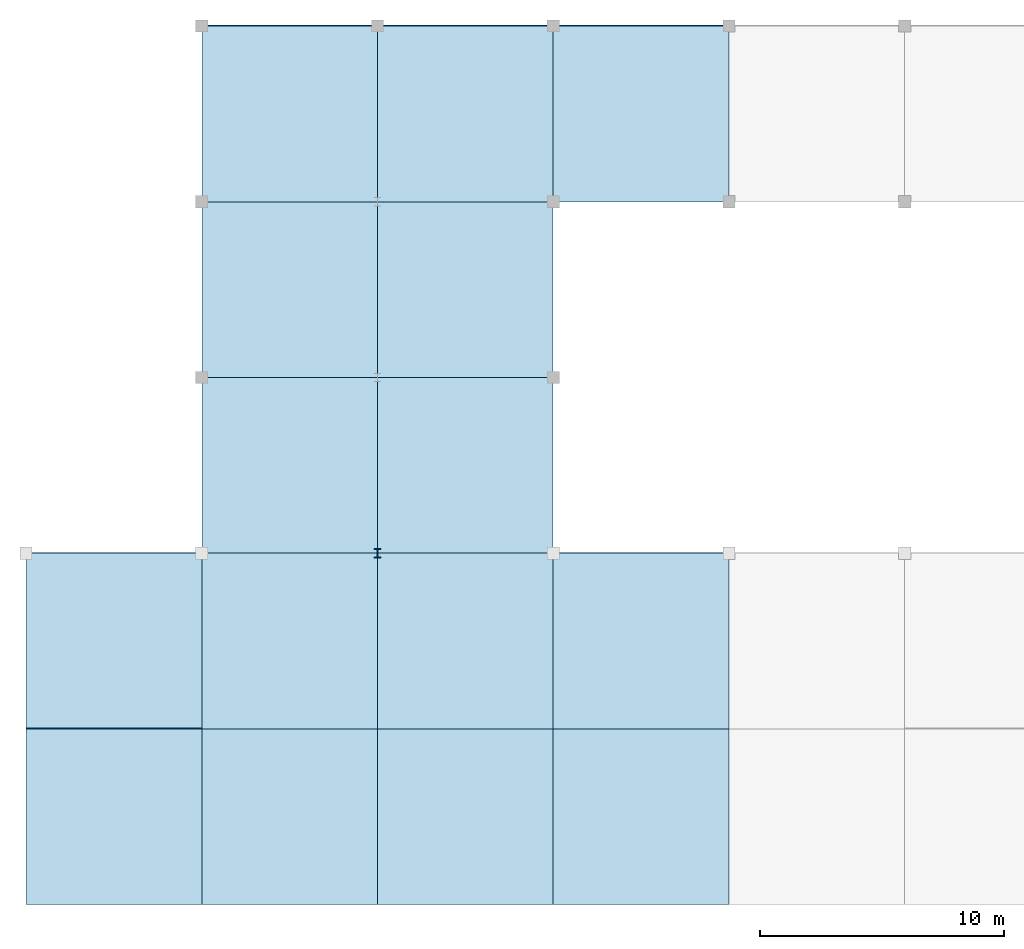
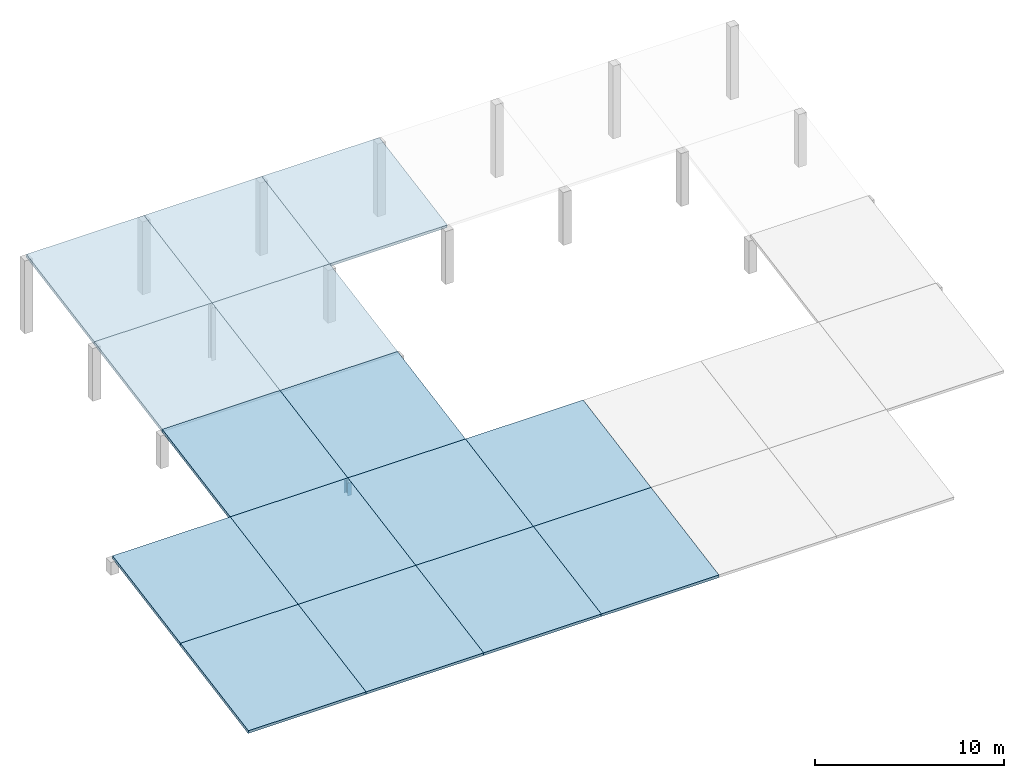
# One storey, part 3 of 4: 15 slabs, 1 column.
"""IFC4 building model written with IfcOpenShell, lengths in metres."""

from ifc_helpers import new_model, si_unit, direction, frame, origin, origin_2d, place, context, subcontext, project, spatial, polyline, i_section, outline, extrude, material, layer, layer_set, material_profile, profile_set, type_object, element, save


model = new_model("IFC4")

# Units and contexts
model_context = context("Model", 3, precision=1e-05, world=origin(), true_north=direction((0.0, 1.0)))
body_context = subcontext(model_context, "Body", "Model", "MODEL_VIEW")
ifc_project = project(units=[si_unit("LENGTHUNIT", "METRE"), si_unit("AREAUNIT", "SQUARE_METRE"), si_unit("VOLUMEUNIT", "CUBIC_METRE"), si_unit("PLANEANGLEUNIT", "RADIAN"), si_unit("MASSUNIT", "GRAM", prefix="KILO")], contexts=[model_context])

# Site, building, storey
site_placement = place(None, origin())
site = spatial("IfcSite", under=ifc_project, at=site_placement, CompositionType="ELEMENT")
building_placement = place(site_placement, origin())
building = spatial("IfcBuilding", under=site, at=building_placement, Name="Sillqori Civic Hall", CompositionType="ELEMENT")
storey_placement = place(building_placement, frame((0.0, 0.0, 30.0)))
storey = spatial("IfcBuildingStorey", under=building, at=storey_placement, Name="ROOF", CompositionType="ELEMENT", Elevation=30.0)

# Column
ifc_material_1 = material(Name="Steel ASTM A992", Category="steel")
ifc_material_profile = material_profile(ifc_material_1, i_section(OverallWidth=0.257080078125, OverallDepth=0.363037109375, WebThickness=0.012939453125, FlangeThickness=0.021728515625, FilletRadius=0.014892578125, at=origin_2d()), Name="W14X82")
ifc_profile_set = profile_set([ifc_material_profile], Name="Steel ASTM A992")
column_type = type_object("IfcColumnType", Name="COL-W14X82", PredefinedType="COLUMN", material=ifc_profile_set)
column_placement = place(storey_placement, frame((64.800048828125, 93.60009765625, 0.0), z_axis=(0.0, 0.0, 1.0), x_axis=(1.0, 0.0, 0.0)))
element("IfcColumn", 1, at=column_placement, inside=storey, type_object=column_type, Name="ROOF column 9-13", PredefinedType="COLUMN", context=body_context, shape_type="SweptSolid", body=[
    extrude(i_section(OverallWidth=0.257080078125, OverallDepth=0.363037109375, WebThickness=0.012939453125, FlangeThickness=0.021728515625, FilletRadius=0.014892578125, at=origin_2d()), origin(), (0.0, 0.0, 1.0), 0.828857421875),
])

# Slabs
ifc_material_2 = material(Name="Concrete C30/37 (H30)", Category="concrete")
ifc_layer = layer(ifc_material_2, 0.199951171875)
ifc_layer_set = layer_set([ifc_layer], Name="Concrete C30/37 (H30)")
slab_type = type_object("IfcSlabType", Name="SLB-ROOF-200", PredefinedType="ROOF", material=ifc_layer_set)
slab_1_placement = place(storey_placement, frame((50.39990234375, 79.199951171875, -1.56005859375), z_axis=(0.0, -0.177173039704, 0.984179716313), x_axis=(1.0, 0.0, 0.0)))
element("IfcSlab", 2, at=slab_1_placement, inside=storey, type_object=slab_type, Name="L07 Civic Observatory pitched roof panel 7-11.1", PredefinedType="ROOF", context=body_context, shape_type="SweptSolid", body=[
    extrude(outline(polyline([(0.0, 0.0), (7.2001953125, 0.0), (7.2001953125, 7.31568742225997), (0.0, 7.31568742225997), (0.0, 0.0)])), origin(), (0.0, 0.0, -1.0), 0.199951171875),
])
slab_2_placement = place(storey_placement, frame((50.39990234375, 86.39990234375, -0.263916015625), z_axis=(0.0, -0.17713489684, 0.984186582067), x_axis=(1.0, 0.0, 0.0)))
element("IfcSlab", 3, at=slab_2_placement, inside=storey, type_object=slab_type, Name="L07 Civic Observatory pitched roof panel 7-12.1", PredefinedType="ROOF", context=body_context, shape_type="SweptSolid", body=[
    extrude(outline(polyline([(0.0, 0.0), (7.2001953125, 0.0), (7.2001953125, 7.315884450868666), (0.0, 7.315884450868666), (0.0, 0.0)])), origin(), (0.0, 0.0, -1.0), 0.199951171875),
])
slab_3_placement = place(storey_placement, frame((57.60009765625, 79.199951171875, -1.56005859375), z_axis=(0.0, -0.177173039704, 0.984179716313), x_axis=(1.0, 0.0, 0.0)))
element("IfcSlab", 4, at=slab_3_placement, inside=storey, type_object=slab_type, Name="L07 Civic Observatory pitched roof panel 8-11.1", PredefinedType="ROOF", context=body_context, shape_type="SweptSolid", body=[
    extrude(outline(polyline([(0.0, 0.0), (7.199951171875, 0.0), (7.199951171875, 7.31568742225997), (0.0, 7.31568742225997), (0.0, 0.0)])), origin(), (0.0, 0.0, -1.0), 0.199951171875),
])
slab_4_placement = place(storey_placement, frame((57.60009765625, 86.39990234375, -0.263916015625), z_axis=(0.0, -0.17713489684, 0.984186582067), x_axis=(1.0, 0.0, 0.0)))
element("IfcSlab", 5, at=slab_4_placement, inside=storey, type_object=slab_type, Name="L07 Civic Observatory pitched roof panel 8-12.1", PredefinedType="ROOF", context=body_context, shape_type="SweptSolid", body=[
    extrude(outline(polyline([(0.0, 0.0), (7.199951171875, 0.0), (7.199951171875, 7.3158844508686665), (0.0, 7.3158844508686665), (0.0, 0.0)])), origin(), (0.0, 0.0, -1.0), 0.199951171875),
])
slab_5_placement = place(storey_placement, frame((57.60009765625, 93.60009765625, 1.031982421875), z_axis=(0.0, -0.177140714775, 0.984185534932), x_axis=(1.0, 0.0, 0.0)))
element("IfcSlab", 6, at=slab_5_placement, inside=storey, type_object=slab_type, Name="L07 Civic Observatory pitched roof panel 8-13.1", PredefinedType="ROOF", context=body_context, shape_type="SweptSolid", body=[
    extrude(outline(polyline([(0.0, 0.0), (7.199951171875, 0.0), (7.199951171875, 7.315644171069224), (0.0, 7.315644171069224), (0.0, 0.0)])), origin(), (0.0, 0.0, -1.0), 0.199951171875),
])
slab_6_placement = place(storey_placement, frame((57.60009765625, 100.800048828125, 2.327880859375), z_axis=(0.0, -0.177173039704, 0.984179716313), x_axis=(1.0, 0.0, 0.0)))
element("IfcSlab", 7, at=slab_6_placement, inside=storey, type_object=slab_type, Name="L07 Civic Observatory pitched roof panel 8-14.1", PredefinedType="ROOF", context=body_context, shape_type="SweptSolid", body=[
    extrude(outline(polyline([(0.0, 0.0), (7.199951171875, 0.0), (7.199951171875, 7.31568742225997), (0.0, 7.31568742225997), (0.0, 0.0)])), origin(), (0.0, 0.0, -1.0), 0.199951171875),
])
slab_7_placement = place(storey_placement, frame((57.60009765625, 108.0, 3.6240234375), z_axis=(0.0, -0.177140714775, 0.984185534932), x_axis=(1.0, 0.0, 0.0)))
element("IfcSlab", 8, at=slab_7_placement, inside=storey, type_object=slab_type, Name="L07 Civic Observatory pitched roof panel 8-15.1", PredefinedType="ROOF", context=body_context, shape_type="SweptSolid", body=[
    extrude(outline(polyline([(0.0, 0.0), (7.199951171875, 0.0), (7.199951171875, 7.315644171069224), (0.0, 7.315644171069224), (0.0, 0.0)])), origin(), (0.0, 0.0, -1.0), 0.199951171875),
])
slab_8_placement = place(storey_placement, frame((64.800048828125, 79.199951171875, -1.56005859375), z_axis=(0.0, -0.177173039704, 0.984179716313), x_axis=(1.0, 0.0, 0.0)))
element("IfcSlab", 9, at=slab_8_placement, inside=storey, type_object=slab_type, Name="L07 Civic Observatory pitched roof panel 9-11.1", PredefinedType="ROOF", context=body_context, shape_type="SweptSolid", body=[
    extrude(outline(polyline([(0.0, 0.0), (7.199951171875, 0.0), (7.199951171875, 7.31568742225997), (0.0, 7.31568742225997), (0.0, 0.0)])), origin(), (0.0, 0.0, -1.0), 0.199951171875),
])
slab_9_placement = place(storey_placement, frame((64.800048828125, 86.39990234375, -0.263916015625), z_axis=(0.0, -0.17713489684, 0.984186582067), x_axis=(1.0, 0.0, 0.0)))
element("IfcSlab", 10, at=slab_9_placement, inside=storey, type_object=slab_type, Name="L07 Civic Observatory pitched roof panel 9-12.1", PredefinedType="ROOF", context=body_context, shape_type="SweptSolid", body=[
    extrude(outline(polyline([(0.0, 0.0), (7.199951171875, 0.0), (7.199951171875, 7.3158844508686665), (0.0, 7.3158844508686665), (0.0, 0.0)])), origin(), (0.0, 0.0, -1.0), 0.199951171875),
])
slab_10_placement = place(storey_placement, frame((64.800048828125, 93.60009765625, 1.031982421875), z_axis=(0.0, -0.177140714775, 0.984185534932), x_axis=(1.0, 0.0, 0.0)))
element("IfcSlab", 11, at=slab_10_placement, inside=storey, type_object=slab_type, Name="L07 Civic Observatory pitched roof panel 9-13.1", PredefinedType="ROOF", context=body_context, shape_type="SweptSolid", body=[
    extrude(outline(polyline([(0.0, 0.0), (7.199951171875, 0.0), (7.199951171875, 7.315644171069224), (0.0, 7.315644171069224), (0.0, 0.0)])), origin(), (0.0, 0.0, -1.0), 0.199951171875),
])
slab_11_placement = place(storey_placement, frame((64.800048828125, 100.800048828125, 2.327880859375), z_axis=(0.0, -0.177173039704, 0.984179716313), x_axis=(1.0, 0.0, 0.0)))
element("IfcSlab", 12, at=slab_11_placement, inside=storey, type_object=slab_type, Name="L07 Civic Observatory pitched roof panel 9-14.1", PredefinedType="ROOF", context=body_context, shape_type="SweptSolid", body=[
    extrude(outline(polyline([(0.0, 0.0), (7.199951171875, 0.0), (7.199951171875, 7.31568742225997), (0.0, 7.31568742225997), (0.0, 0.0)])), origin(), (0.0, 0.0, -1.0), 0.199951171875),
])
slab_12_placement = place(storey_placement, frame((64.800048828125, 108.0, 3.6240234375), z_axis=(0.0, -0.177140714775, 0.984185534932), x_axis=(1.0, 0.0, 0.0)))
element("IfcSlab", 13, at=slab_12_placement, inside=storey, type_object=slab_type, Name="L07 Civic Observatory pitched roof panel 9-15.1", PredefinedType="ROOF", context=body_context, shape_type="SweptSolid", body=[
    extrude(outline(polyline([(0.0, 0.0), (7.199951171875, 0.0), (7.199951171875, 7.315644171069224), (0.0, 7.315644171069224), (0.0, 0.0)])), origin(), (0.0, 0.0, -1.0), 0.199951171875),
])
slab_13_placement = place(storey_placement, frame((72.0, 79.199951171875, -1.56005859375), z_axis=(0.0, -0.177173039704, 0.984179716313), x_axis=(1.0, 0.0, 0.0)))
element("IfcSlab", 14, at=slab_13_placement, inside=storey, type_object=slab_type, Name="L07 Civic Observatory pitched roof panel 10-11.1", PredefinedType="ROOF", context=body_context, shape_type="SweptSolid", body=[
    extrude(outline(polyline([(0.0, 0.0), (7.199951171875, 0.0), (7.199951171875, 7.31568742225997), (0.0, 7.31568742225997), (0.0, 0.0)])), origin(), (0.0, 0.0, -1.0), 0.199951171875),
])
slab_14_placement = place(storey_placement, frame((72.0, 86.39990234375, -0.263916015625), z_axis=(0.0, -0.17713489684, 0.984186582067), x_axis=(1.0, 0.0, 0.0)))
element("IfcSlab", 15, at=slab_14_placement, inside=storey, type_object=slab_type, Name="L07 Civic Observatory pitched roof panel 10-12.1", PredefinedType="ROOF", context=body_context, shape_type="SweptSolid", body=[
    extrude(outline(polyline([(0.0, 0.0), (7.199951171875, 0.0), (7.199951171875, 7.3158844508686665), (0.0, 7.3158844508686665), (0.0, 0.0)])), origin(), (0.0, 0.0, -1.0), 0.199951171875),
])
slab_15_placement = place(storey_placement, frame((72.0, 108.0, 3.6240234375), z_axis=(0.0, -0.177140714775, 0.984185534932), x_axis=(1.0, 0.0, 0.0)))
element("IfcSlab", 16, at=slab_15_placement, inside=storey, type_object=slab_type, Name="L07 Civic Observatory pitched roof panel 10-15.1", PredefinedType="ROOF", context=body_context, shape_type="SweptSolid", body=[
    extrude(outline(polyline([(0.0, 0.0), (7.199951171875, 0.0), (7.199951171875, 7.315644171069224), (0.0, 7.315644171069224), (0.0, 0.0)])), origin(), (0.0, 0.0, -1.0), 0.199951171875),
])

save(model, "model.ifc")
